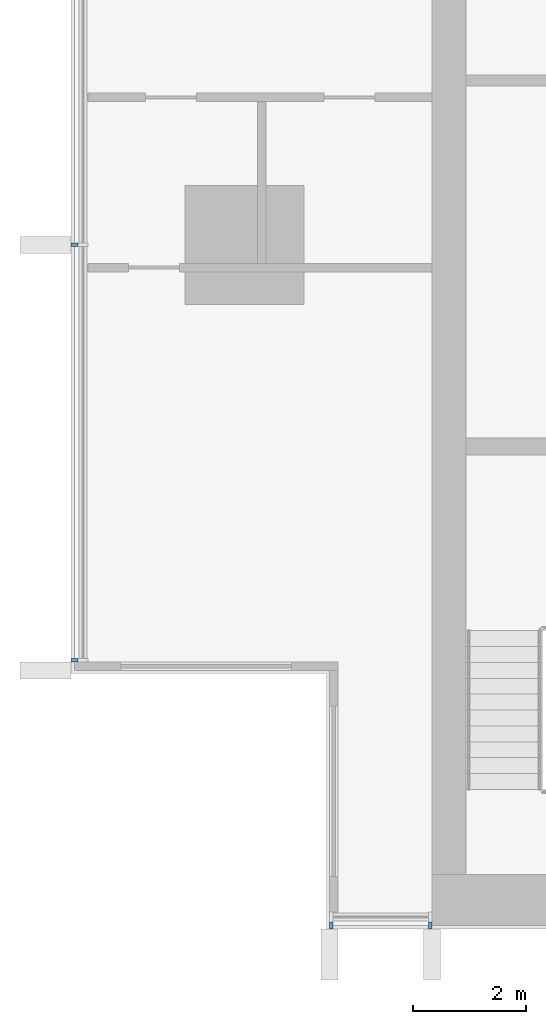
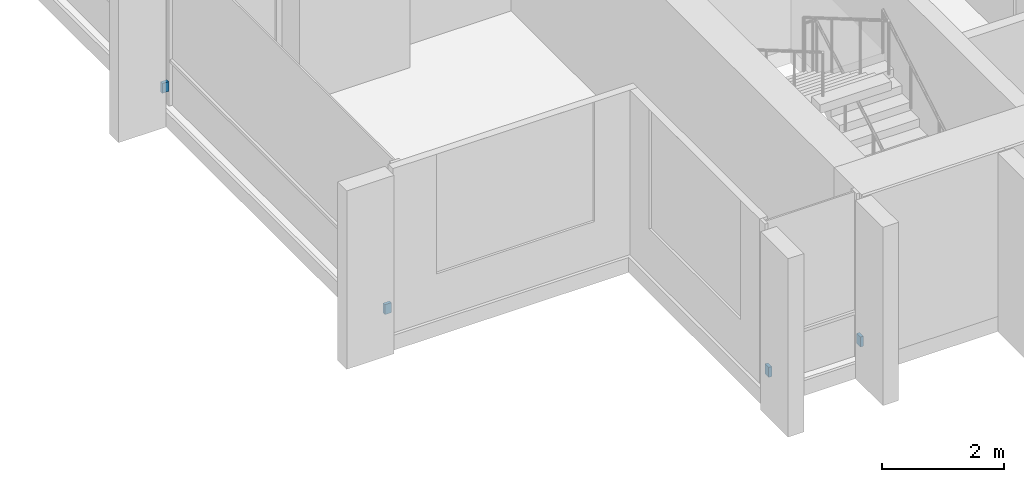
# One storey, part 11 of 15: 4 discrete accessories.
"""IFC4 building model written with IfcOpenShell, lengths in metres."""

from ifc_helpers import new_model, si_unit, direction, frame, origin, origin_2d, place, context, subcontext, project, spatial, rectangle, extrude, material, type_object, element, save


model = new_model("IFC4")

# Units and contexts
model_context = context("Model", 3, precision=1e-05, world=origin(), true_north=direction((0.0, 1.0)))
body_context = subcontext(model_context, "Body", "Model", "MODEL_VIEW")
ifc_project = project(units=[si_unit("LENGTHUNIT", "METRE"), si_unit("AREAUNIT", "SQUARE_METRE"), si_unit("VOLUMEUNIT", "CUBIC_METRE"), si_unit("PLANEANGLEUNIT", "RADIAN"), si_unit("MASSUNIT", "GRAM", prefix="KILO")], contexts=[model_context])

# Site, building, storey
site_placement = place(None, origin())
site = spatial("IfcSite", under=ifc_project, at=site_placement, CompositionType="ELEMENT")
building_placement = place(site_placement, origin())
building = spatial("IfcBuilding", under=site, at=building_placement, Name="Finial Court Residences", CompositionType="ELEMENT")
storey_placement = place(building_placement, frame((0.0, 0.0, 226.699951171875)))
storey = spatial("IfcBuildingStorey", under=building, at=storey_placement, Name="L57", CompositionType="ELEMENT", Elevation=226.699951171875)

# Discrete accessories
ifc_material = material(Name="Stainless steel 316", Category="steel")
discrete_accessory_type = type_object("IfcDiscreteAccessoryType", Name="Fin bracket, stainless steel 60 x 122 x 200", PredefinedType="BRACKET", material=ifc_material)
for number, where, z_axis, x_axis, name in (
    (1, (-14.969970703125, -25.498779296875, 0.30029296875), (0.0, 0.0, 1.0), (1.0, 0.0, 0.0), "E-L57-FIN-S13-BRK"),
    (2, (-13.22998046875, -25.498779296875, 0.30029296875), (0.0, 0.0, 1.0), (1.0, 0.0, 0.0), "E-L57-FIN-S14-BRK"),
):
    element("IfcDiscreteAccessory", number, at=place(storey_placement, frame(where, z_axis=z_axis, x_axis=x_axis)), inside=storey, type_object=discrete_accessory_type, Name=name, PredefinedType="BRACKET", context=body_context, shape_type="SweptSolid", body=[
        extrude(rectangle(XDim=0.06005859375, YDim=0.12255859375, at=origin_2d()), origin(), (0.0, 0.0, 1.0), 0.199951171875),
    ])
for number, where, z_axis, x_axis, name in (
    (3, (-19.498779296875, -20.820068359375, 0.30029296875), (0.0, 0.0, 1.0), (1.0, 0.0, 0.0), "E-L57-FIN-W21-BRK"),
    (4, (-19.498779296875, -13.5, 0.30029296875), (0.0, 0.0, 1.0), (1.0, 0.0, 0.0), "E-L57-FIN-W22-BRK"),
):
    element("IfcDiscreteAccessory", number, at=place(storey_placement, frame(where, z_axis=z_axis, x_axis=x_axis)), inside=storey, type_object=discrete_accessory_type, Name=name, PredefinedType="BRACKET", context=body_context, shape_type="SweptSolid", body=[
        extrude(rectangle(XDim=0.12255859375, YDim=0.06005859375, at=origin_2d()), origin(), (0.0, 0.0, 1.0), 0.199951171875),
    ])

save(model, "model.ifc")
